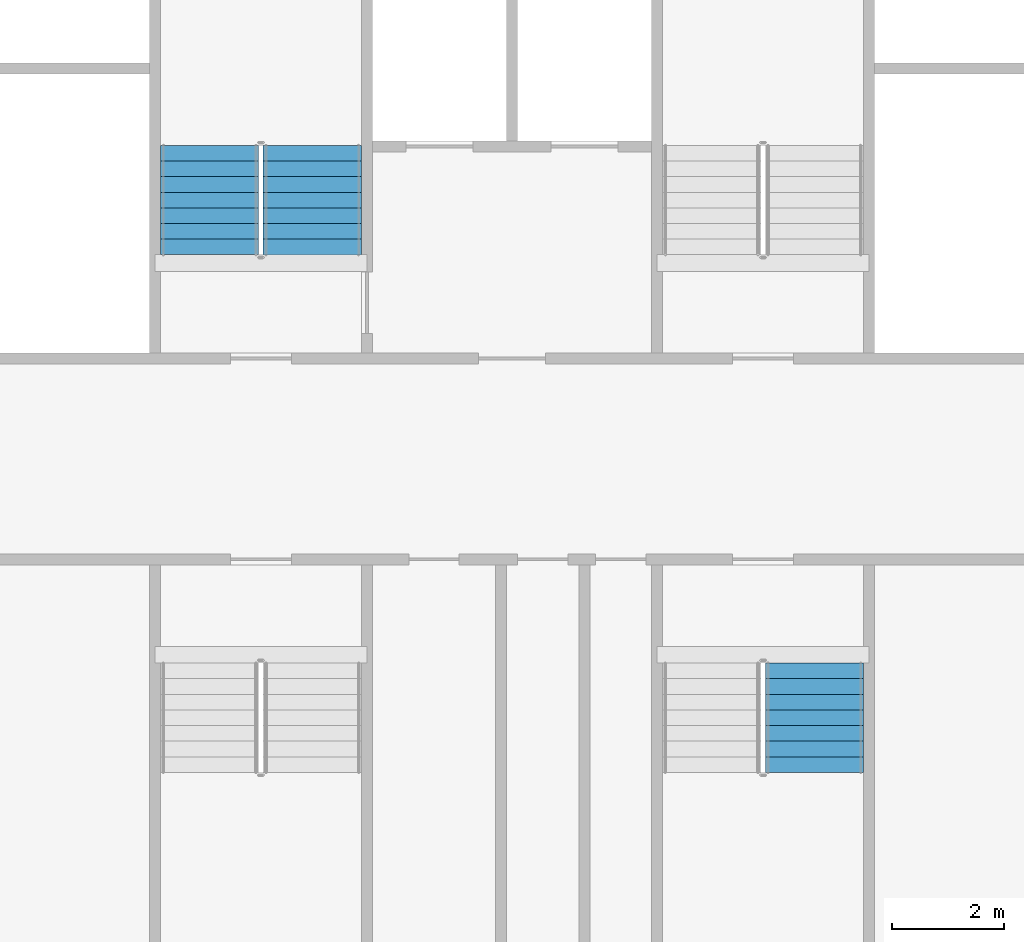
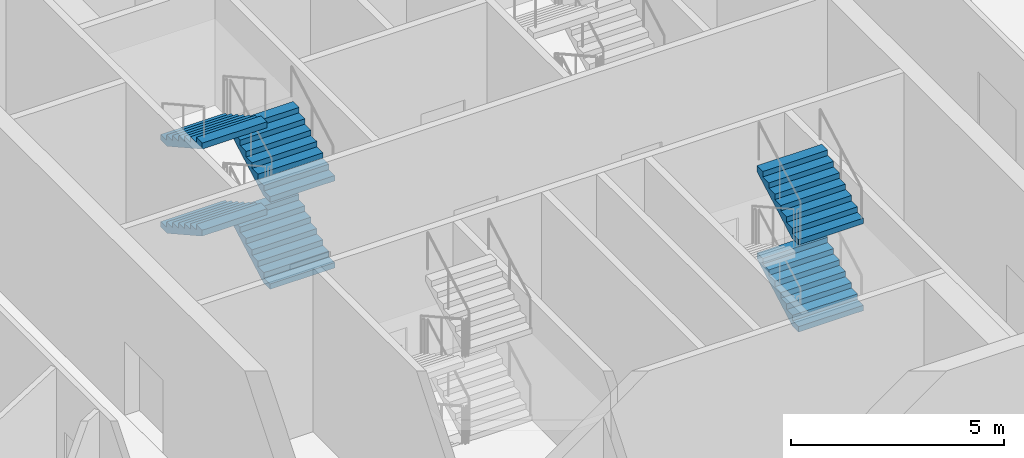
# One storey, part 7 of 21: 6 stair flights, 2 elements without a shape of their own.
"""IFC4 building model written with IfcOpenShell, lengths in metres."""

from ifc_helpers import new_model, si_unit, direction, frame, origin, place, context, subcontext, project, spatial, faceted_brep, material, type_object, element, aggregate, save


model = new_model("IFC4")

# Units and contexts
model_context = context("Model", 3, precision=1e-05, world=origin(), true_north=direction((0.0, 1.0)))
body_context = subcontext(model_context, "Body", "Model", "MODEL_VIEW")
ifc_project = project(units=[si_unit("LENGTHUNIT", "METRE"), si_unit("AREAUNIT", "SQUARE_METRE"), si_unit("VOLUMEUNIT", "CUBIC_METRE"), si_unit("PLANEANGLEUNIT", "RADIAN"), si_unit("MASSUNIT", "GRAM", prefix="KILO")], contexts=[model_context])

# Site, building, storey
site_placement = place(None, origin())
site = spatial("IfcSite", under=ifc_project, at=site_placement, CompositionType="ELEMENT")
building_placement = place(site_placement, origin())
building = spatial("IfcBuilding", under=site, at=building_placement, Name="Tarsis Ring Headquarters", CompositionType="ELEMENT")
storey_placement = place(building_placement, frame((0.0, 0.0, 398.60009765625)))
storey = spatial("IfcBuildingStorey", under=building, at=storey_placement, Name="L94", CompositionType="ELEMENT", Elevation=398.60009765625)

# Stair, stair flights
ifc_material_1 = material(Name="Core stair 1760")
stair_type = type_object("IfcStairType", Name="Core stair 1760", PredefinedType="HALF_TURN_STAIR", material=ifc_material_1)
stair_1_placement = place(storey_placement, origin())
stair_1 = element("IfcStair", 1, at=stair_1_placement, inside=storey, type_object=stair_type, Name="L94 Firefighting stair", PredefinedType="HALF_TURN_STAIR")
ifc_material_2 = material(Name="Concrete C40/50", Category="concrete")
stair_flight_type = type_object("IfcStairFlightType", Name="Core stair flight 1760", PredefinedType="STRAIGHT", material=ifc_material_2)
stair_flight_1_placement = place(storey_placement, frame((-3.580078125, 3.659912109375, 0.0), z_axis=(0.0, 0.0, 1.0), x_axis=(0.0, 1.0, 0.0)))
stair_flight_1 = element("IfcStairFlight", 2, at=stair_flight_1_placement, type_object=stair_flight_type, Name="Stair ST1 flight 1", NumberOfRisers=8, NumberOfTreads=7, PredefinedType="STRAIGHT", RiserHeight=0.15625, TreadLength=0.28, context=body_context, shape_type="Brep", body=[
    faceted_brep([(0.0, 0.8798828125, 0.0), (0.0, 0.8798828125, 0.15625), (0.280029296875, 0.8798828125, 0.15625), (0.280029296875, 0.8798828125, 0.3125), (0.56005859375, 0.8798828125, 0.3125), (0.56005859375, 0.8798828125, 0.46875), (0.840087890625, 0.8798828125, 0.46875), (0.840087890625, 0.8798828125, 0.625), (1.1201171875, 0.8798828125, 0.625), (1.1201171875, 0.8798828125, 0.78125), (1.39990234375, 0.8798828125, 0.78125), (1.39990234375, 0.8798828125, 0.9375), (1.679931640625, 0.8798828125, 0.9375), (1.679931640625, 0.8798828125, 1.09375), (1.9599609375, 0.8798828125, 1.09375), (1.9599609375, 0.8798828125, 0.922119140625), (0.3076171875, 0.8798828125, 0.0), (0.3076171875, -0.8798828125, 0.0), (1.9599609375, -0.8798828125, 0.922119140625), (1.9599609375, -0.8798828125, 1.09375), (1.679931640625, -0.8798828125, 1.09375), (1.679931640625, -0.8798828125, 0.9375), (1.39990234375, -0.8798828125, 0.9375), (1.39990234375, -0.8798828125, 0.78125), (1.1201171875, -0.8798828125, 0.78125), (1.1201171875, -0.8798828125, 0.625), (0.840087890625, -0.8798828125, 0.625), (0.840087890625, -0.8798828125, 0.46875), (0.56005859375, -0.8798828125, 0.46875), (0.56005859375, -0.8798828125, 0.3125), (0.280029296875, -0.8798828125, 0.3125), (0.280029296875, -0.8798828125, 0.15625), (0.0, -0.8798828125, 0.15625), (0.0, -0.8798828125, 0.0), (0.0, -0.43994140625, 0.15625), (0.0, -0.43994140625, 0.0), (0.0, 0.0, 0.15625), (0.0, 0.0, 0.0), (0.0, 0.43994140625, 0.15625), (0.0, 0.43994140625, 0.0), (0.280029296875, -0.43994140625, 0.15625), (0.280029296875, 0.0, 0.15625), (0.280029296875, 0.43994140625, 0.15625), (0.280029296875, -0.43994140625, 0.3125), (0.280029296875, 0.0, 0.3125), (0.280029296875, 0.43994140625, 0.3125), (0.56005859375, -0.43994140625, 0.3125), (0.56005859375, 0.0, 0.3125), (0.56005859375, 0.43994140625, 0.3125), (0.56005859375, -0.43994140625, 0.46875), (0.56005859375, 0.0, 0.46875), (0.56005859375, 0.43994140625, 0.46875), (0.840087890625, -0.43994140625, 0.46875), (0.840087890625, 0.0, 0.46875), (0.840087890625, 0.43994140625, 0.46875), (0.840087890625, -0.43994140625, 0.625), (0.840087890625, 0.0, 0.625), (0.840087890625, 0.43994140625, 0.625), (1.1201171875, -0.43994140625, 0.625), (1.1201171875, 0.0, 0.625), (1.1201171875, 0.43994140625, 0.625), (1.1201171875, -0.43994140625, 0.78125), (1.1201171875, 0.0, 0.78125), (1.1201171875, 0.43994140625, 0.78125), (1.39990234375, -0.43994140625, 0.78125), (1.39990234375, 0.0, 0.78125), (1.39990234375, 0.43994140625, 0.78125), (1.39990234375, -0.43994140625, 0.9375), (1.39990234375, 0.0, 0.9375), (1.39990234375, 0.43994140625, 0.9375), (1.679931640625, -0.43994140625, 0.9375), (1.679931640625, 0.0, 0.9375), (1.679931640625, 0.43994140625, 0.9375), (1.679931640625, -0.43994140625, 1.09375), (1.679931640625, 0.0, 1.09375), (1.679931640625, 0.43994140625, 1.09375), (1.9599609375, -0.43994140625, 1.09375), (1.9599609375, 0.0, 1.09375), (1.9599609375, 0.43994140625, 1.09375), (1.9599609375, -0.43994140625, 0.922119140625), (1.9599609375, 0.0, 0.922119140625), (1.9599609375, 0.43994140625, 0.922119140625), (0.3076171875, -0.43994140625, 0.0), (0.3076171875, 0.0, 0.0), (0.3076171875, 0.43994140625, 0.0)], [[[0, 1, 2, 3, 4, 5, 6, 7, 8, 9, 10, 11, 12, 13, 14, 15, 16]], [[17, 18, 19, 20, 21, 22, 23, 24, 25, 26, 27, 28, 29, 30, 31, 32, 33]], [[33, 32, 34, 35]], [[35, 34, 36, 37]], [[37, 36, 38, 39]], [[39, 38, 1, 0]], [[32, 31, 40, 34]], [[34, 40, 41, 36]], [[36, 41, 42, 38]], [[38, 42, 2, 1]], [[31, 30, 43, 40]], [[40, 43, 44, 41]], [[41, 44, 45, 42]], [[42, 45, 3, 2]], [[30, 29, 46, 43]], [[43, 46, 47, 44]], [[44, 47, 48, 45]], [[45, 48, 4, 3]], [[29, 28, 49, 46]], [[46, 49, 50, 47]], [[47, 50, 51, 48]], [[48, 51, 5, 4]], [[28, 27, 52, 49]], [[49, 52, 53, 50]], [[50, 53, 54, 51]], [[51, 54, 6, 5]], [[27, 26, 55, 52]], [[52, 55, 56, 53]], [[53, 56, 57, 54]], [[54, 57, 7, 6]], [[26, 25, 58, 55]], [[55, 58, 59, 56]], [[56, 59, 60, 57]], [[57, 60, 8, 7]], [[25, 24, 61, 58]], [[58, 61, 62, 59]], [[59, 62, 63, 60]], [[60, 63, 9, 8]], [[24, 23, 64, 61]], [[61, 64, 65, 62]], [[62, 65, 66, 63]], [[63, 66, 10, 9]], [[23, 22, 67, 64]], [[64, 67, 68, 65]], [[65, 68, 69, 66]], [[66, 69, 11, 10]], [[22, 21, 70, 67]], [[67, 70, 71, 68]], [[68, 71, 72, 69]], [[69, 72, 12, 11]], [[21, 20, 73, 70]], [[70, 73, 74, 71]], [[71, 74, 75, 72]], [[72, 75, 13, 12]], [[20, 19, 76, 73]], [[73, 76, 77, 74]], [[74, 77, 78, 75]], [[75, 78, 14, 13]], [[19, 18, 79, 76]], [[76, 79, 80, 77]], [[77, 80, 81, 78]], [[78, 81, 15, 14]], [[18, 17, 82, 79]], [[79, 82, 83, 80]], [[80, 83, 84, 81]], [[81, 84, 16, 15]], [[17, 33, 35, 82]], [[82, 35, 37, 83]], [[83, 37, 39, 84]], [[84, 39, 0, 16]]]),
])
stair_flight_2_placement = place(storey_placement, frame((-5.419921875, 5.6201171875, 1.25), z_axis=(0.0, 0.0, 1.0), x_axis=(0.0, -1.0, 0.0)))
stair_flight_2 = element("IfcStairFlight", 3, at=stair_flight_2_placement, type_object=stair_flight_type, Name="Stair ST1 flight 2", NumberOfRisers=8, NumberOfTreads=7, PredefinedType="STRAIGHT", RiserHeight=0.15625, TreadLength=0.28, context=body_context, shape_type="Brep", body=[
    faceted_brep([(0.0, 0.8798828125, 0.0), (0.0, 0.8798828125, 0.15625), (0.280029296875, 0.8798828125, 0.15625), (0.280029296875, 0.8798828125, 0.3125), (0.56005859375, 0.8798828125, 0.3125), (0.56005859375, 0.8798828125, 0.46875), (0.840087890625, 0.8798828125, 0.46875), (0.840087890625, 0.8798828125, 0.625), (1.1201171875, 0.8798828125, 0.625), (1.1201171875, 0.8798828125, 0.78125), (1.39990234375, 0.8798828125, 0.78125), (1.39990234375, 0.8798828125, 0.9375), (1.679931640625, 0.8798828125, 0.9375), (1.679931640625, 0.8798828125, 1.09375), (1.9599609375, 0.8798828125, 1.09375), (1.9599609375, 0.8798828125, 0.922119140625), (0.3076171875, 0.8798828125, 0.0), (0.3076171875, -0.8798828125, 0.0), (1.9599609375, -0.8798828125, 0.922119140625), (1.9599609375, -0.8798828125, 1.09375), (1.679931640625, -0.8798828125, 1.09375), (1.679931640625, -0.8798828125, 0.9375), (1.39990234375, -0.8798828125, 0.9375), (1.39990234375, -0.8798828125, 0.78125), (1.1201171875, -0.8798828125, 0.78125), (1.1201171875, -0.8798828125, 0.625), (0.840087890625, -0.8798828125, 0.625), (0.840087890625, -0.8798828125, 0.46875), (0.56005859375, -0.8798828125, 0.46875), (0.56005859375, -0.8798828125, 0.3125), (0.280029296875, -0.8798828125, 0.3125), (0.280029296875, -0.8798828125, 0.15625), (0.0, -0.8798828125, 0.15625), (0.0, -0.8798828125, 0.0), (0.0, -0.43994140625, 0.15625), (0.0, -0.43994140625, 0.0), (0.0, 0.0, 0.15625), (0.0, 0.0, 0.0), (0.0, 0.43994140625, 0.15625), (0.0, 0.43994140625, 0.0), (0.280029296875, -0.43994140625, 0.15625), (0.280029296875, 0.0, 0.15625), (0.280029296875, 0.43994140625, 0.15625), (0.280029296875, -0.43994140625, 0.3125), (0.280029296875, 0.0, 0.3125), (0.280029296875, 0.43994140625, 0.3125), (0.56005859375, -0.43994140625, 0.3125), (0.56005859375, 0.0, 0.3125), (0.56005859375, 0.43994140625, 0.3125), (0.56005859375, -0.43994140625, 0.46875), (0.56005859375, 0.0, 0.46875), (0.56005859375, 0.43994140625, 0.46875), (0.840087890625, -0.43994140625, 0.46875), (0.840087890625, 0.0, 0.46875), (0.840087890625, 0.43994140625, 0.46875), (0.840087890625, -0.43994140625, 0.625), (0.840087890625, 0.0, 0.625), (0.840087890625, 0.43994140625, 0.625), (1.1201171875, -0.43994140625, 0.625), (1.1201171875, 0.0, 0.625), (1.1201171875, 0.43994140625, 0.625), (1.1201171875, -0.43994140625, 0.78125), (1.1201171875, 0.0, 0.78125), (1.1201171875, 0.43994140625, 0.78125), (1.39990234375, -0.43994140625, 0.78125), (1.39990234375, 0.0, 0.78125), (1.39990234375, 0.43994140625, 0.78125), (1.39990234375, -0.43994140625, 0.9375), (1.39990234375, 0.0, 0.9375), (1.39990234375, 0.43994140625, 0.9375), (1.679931640625, -0.43994140625, 0.9375), (1.679931640625, 0.0, 0.9375), (1.679931640625, 0.43994140625, 0.9375), (1.679931640625, -0.43994140625, 1.09375), (1.679931640625, 0.0, 1.09375), (1.679931640625, 0.43994140625, 1.09375), (1.9599609375, -0.43994140625, 1.09375), (1.9599609375, 0.0, 1.09375), (1.9599609375, 0.43994140625, 1.09375), (1.9599609375, -0.43994140625, 0.922119140625), (1.9599609375, 0.0, 0.922119140625), (1.9599609375, 0.43994140625, 0.922119140625), (0.3076171875, -0.43994140625, 0.0), (0.3076171875, 0.0, 0.0), (0.3076171875, 0.43994140625, 0.0)], [[[0, 1, 2, 3, 4, 5, 6, 7, 8, 9, 10, 11, 12, 13, 14, 15, 16]], [[17, 18, 19, 20, 21, 22, 23, 24, 25, 26, 27, 28, 29, 30, 31, 32, 33]], [[33, 32, 34, 35]], [[35, 34, 36, 37]], [[37, 36, 38, 39]], [[39, 38, 1, 0]], [[32, 31, 40, 34]], [[34, 40, 41, 36]], [[36, 41, 42, 38]], [[38, 42, 2, 1]], [[31, 30, 43, 40]], [[40, 43, 44, 41]], [[41, 44, 45, 42]], [[42, 45, 3, 2]], [[30, 29, 46, 43]], [[43, 46, 47, 44]], [[44, 47, 48, 45]], [[45, 48, 4, 3]], [[29, 28, 49, 46]], [[46, 49, 50, 47]], [[47, 50, 51, 48]], [[48, 51, 5, 4]], [[28, 27, 52, 49]], [[49, 52, 53, 50]], [[50, 53, 54, 51]], [[51, 54, 6, 5]], [[27, 26, 55, 52]], [[52, 55, 56, 53]], [[53, 56, 57, 54]], [[54, 57, 7, 6]], [[26, 25, 58, 55]], [[55, 58, 59, 56]], [[56, 59, 60, 57]], [[57, 60, 8, 7]], [[25, 24, 61, 58]], [[58, 61, 62, 59]], [[59, 62, 63, 60]], [[60, 63, 9, 8]], [[24, 23, 64, 61]], [[61, 64, 65, 62]], [[62, 65, 66, 63]], [[63, 66, 10, 9]], [[23, 22, 67, 64]], [[64, 67, 68, 65]], [[65, 68, 69, 66]], [[66, 69, 11, 10]], [[22, 21, 70, 67]], [[67, 70, 71, 68]], [[68, 71, 72, 69]], [[69, 72, 12, 11]], [[21, 20, 73, 70]], [[70, 73, 74, 71]], [[71, 74, 75, 72]], [[72, 75, 13, 12]], [[20, 19, 76, 73]], [[73, 76, 77, 74]], [[74, 77, 78, 75]], [[75, 78, 14, 13]], [[19, 18, 79, 76]], [[76, 79, 80, 77]], [[77, 80, 81, 78]], [[78, 81, 15, 14]], [[18, 17, 82, 79]], [[79, 82, 83, 80]], [[80, 83, 84, 81]], [[81, 84, 16, 15]], [[17, 33, 35, 82]], [[82, 35, 37, 83]], [[83, 37, 39, 84]], [[84, 39, 0, 16]]]),
])
stair_flight_3_placement = place(storey_placement, frame((-3.580078125, 3.659912109375, 2.5), z_axis=(0.0, 0.0, 1.0), x_axis=(0.0, 1.0, 0.0)))
stair_flight_3 = element("IfcStairFlight", 4, at=stair_flight_3_placement, type_object=stair_flight_type, Name="Stair ST1 flight 3", NumberOfRisers=8, NumberOfTreads=7, PredefinedType="STRAIGHT", RiserHeight=0.15625, TreadLength=0.28, context=body_context, shape_type="Brep", body=[
    faceted_brep([(0.0, 0.8798828125, 0.0), (0.0, 0.8798828125, 0.15625), (0.280029296875, 0.8798828125, 0.15625), (0.280029296875, 0.8798828125, 0.3125), (0.56005859375, 0.8798828125, 0.3125), (0.56005859375, 0.8798828125, 0.46875), (0.840087890625, 0.8798828125, 0.46875), (0.840087890625, 0.8798828125, 0.625), (1.1201171875, 0.8798828125, 0.625), (1.1201171875, 0.8798828125, 0.78125), (1.39990234375, 0.8798828125, 0.78125), (1.39990234375, 0.8798828125, 0.9375), (1.679931640625, 0.8798828125, 0.9375), (1.679931640625, 0.8798828125, 1.09375), (1.9599609375, 0.8798828125, 1.09375), (1.9599609375, 0.8798828125, 0.922119140625), (0.3076171875, 0.8798828125, 0.0), (0.3076171875, -0.8798828125, 0.0), (1.9599609375, -0.8798828125, 0.922119140625), (1.9599609375, -0.8798828125, 1.09375), (1.679931640625, -0.8798828125, 1.09375), (1.679931640625, -0.8798828125, 0.9375), (1.39990234375, -0.8798828125, 0.9375), (1.39990234375, -0.8798828125, 0.78125), (1.1201171875, -0.8798828125, 0.78125), (1.1201171875, -0.8798828125, 0.625), (0.840087890625, -0.8798828125, 0.625), (0.840087890625, -0.8798828125, 0.46875), (0.56005859375, -0.8798828125, 0.46875), (0.56005859375, -0.8798828125, 0.3125), (0.280029296875, -0.8798828125, 0.3125), (0.280029296875, -0.8798828125, 0.15625), (0.0, -0.8798828125, 0.15625), (0.0, -0.8798828125, 0.0), (0.0, -0.43994140625, 0.15625), (0.0, -0.43994140625, 0.0), (0.0, 0.0, 0.15625), (0.0, 0.0, 0.0), (0.0, 0.43994140625, 0.15625), (0.0, 0.43994140625, 0.0), (0.280029296875, -0.43994140625, 0.15625), (0.280029296875, 0.0, 0.15625), (0.280029296875, 0.43994140625, 0.15625), (0.280029296875, -0.43994140625, 0.3125), (0.280029296875, 0.0, 0.3125), (0.280029296875, 0.43994140625, 0.3125), (0.56005859375, -0.43994140625, 0.3125), (0.56005859375, 0.0, 0.3125), (0.56005859375, 0.43994140625, 0.3125), (0.56005859375, -0.43994140625, 0.46875), (0.56005859375, 0.0, 0.46875), (0.56005859375, 0.43994140625, 0.46875), (0.840087890625, -0.43994140625, 0.46875), (0.840087890625, 0.0, 0.46875), (0.840087890625, 0.43994140625, 0.46875), (0.840087890625, -0.43994140625, 0.625), (0.840087890625, 0.0, 0.625), (0.840087890625, 0.43994140625, 0.625), (1.1201171875, -0.43994140625, 0.625), (1.1201171875, 0.0, 0.625), (1.1201171875, 0.43994140625, 0.625), (1.1201171875, -0.43994140625, 0.78125), (1.1201171875, 0.0, 0.78125), (1.1201171875, 0.43994140625, 0.78125), (1.39990234375, -0.43994140625, 0.78125), (1.39990234375, 0.0, 0.78125), (1.39990234375, 0.43994140625, 0.78125), (1.39990234375, -0.43994140625, 0.9375), (1.39990234375, 0.0, 0.9375), (1.39990234375, 0.43994140625, 0.9375), (1.679931640625, -0.43994140625, 0.9375), (1.679931640625, 0.0, 0.9375), (1.679931640625, 0.43994140625, 0.9375), (1.679931640625, -0.43994140625, 1.09375), (1.679931640625, 0.0, 1.09375), (1.679931640625, 0.43994140625, 1.09375), (1.9599609375, -0.43994140625, 1.09375), (1.9599609375, 0.0, 1.09375), (1.9599609375, 0.43994140625, 1.09375), (1.9599609375, -0.43994140625, 0.922119140625), (1.9599609375, 0.0, 0.922119140625), (1.9599609375, 0.43994140625, 0.922119140625), (0.3076171875, -0.43994140625, 0.0), (0.3076171875, 0.0, 0.0), (0.3076171875, 0.43994140625, 0.0)], [[[0, 1, 2, 3, 4, 5, 6, 7, 8, 9, 10, 11, 12, 13, 14, 15, 16]], [[17, 18, 19, 20, 21, 22, 23, 24, 25, 26, 27, 28, 29, 30, 31, 32, 33]], [[33, 32, 34, 35]], [[35, 34, 36, 37]], [[37, 36, 38, 39]], [[39, 38, 1, 0]], [[32, 31, 40, 34]], [[34, 40, 41, 36]], [[36, 41, 42, 38]], [[38, 42, 2, 1]], [[31, 30, 43, 40]], [[40, 43, 44, 41]], [[41, 44, 45, 42]], [[42, 45, 3, 2]], [[30, 29, 46, 43]], [[43, 46, 47, 44]], [[44, 47, 48, 45]], [[45, 48, 4, 3]], [[29, 28, 49, 46]], [[46, 49, 50, 47]], [[47, 50, 51, 48]], [[48, 51, 5, 4]], [[28, 27, 52, 49]], [[49, 52, 53, 50]], [[50, 53, 54, 51]], [[51, 54, 6, 5]], [[27, 26, 55, 52]], [[52, 55, 56, 53]], [[53, 56, 57, 54]], [[54, 57, 7, 6]], [[26, 25, 58, 55]], [[55, 58, 59, 56]], [[56, 59, 60, 57]], [[57, 60, 8, 7]], [[25, 24, 61, 58]], [[58, 61, 62, 59]], [[59, 62, 63, 60]], [[60, 63, 9, 8]], [[24, 23, 64, 61]], [[61, 64, 65, 62]], [[62, 65, 66, 63]], [[63, 66, 10, 9]], [[23, 22, 67, 64]], [[64, 67, 68, 65]], [[65, 68, 69, 66]], [[66, 69, 11, 10]], [[22, 21, 70, 67]], [[67, 70, 71, 68]], [[68, 71, 72, 69]], [[69, 72, 12, 11]], [[21, 20, 73, 70]], [[70, 73, 74, 71]], [[71, 74, 75, 72]], [[72, 75, 13, 12]], [[20, 19, 76, 73]], [[73, 76, 77, 74]], [[74, 77, 78, 75]], [[75, 78, 14, 13]], [[19, 18, 79, 76]], [[76, 79, 80, 77]], [[77, 80, 81, 78]], [[78, 81, 15, 14]], [[18, 17, 82, 79]], [[79, 82, 83, 80]], [[80, 83, 84, 81]], [[81, 84, 16, 15]], [[17, 33, 35, 82]], [[82, 35, 37, 83]], [[83, 37, 39, 84]], [[84, 39, 0, 16]]]),
])
stair_flight_4_placement = place(storey_placement, frame((-5.419921875, 5.6201171875, 3.75), z_axis=(0.0, 0.0, 1.0), x_axis=(0.0, -1.0, 0.0)))
stair_flight_4 = element("IfcStairFlight", 5, at=stair_flight_4_placement, type_object=stair_flight_type, Name="Stair ST1 flight 4", NumberOfRisers=8, NumberOfTreads=7, PredefinedType="STRAIGHT", RiserHeight=0.15625, TreadLength=0.28, context=body_context, shape_type="Brep", body=[
    faceted_brep([(0.0, 0.8798828125, 0.0), (0.0, 0.8798828125, 0.15625), (0.280029296875, 0.8798828125, 0.15625), (0.280029296875, 0.8798828125, 0.3125), (0.56005859375, 0.8798828125, 0.3125), (0.56005859375, 0.8798828125, 0.46875), (0.840087890625, 0.8798828125, 0.46875), (0.840087890625, 0.8798828125, 0.625), (1.1201171875, 0.8798828125, 0.625), (1.1201171875, 0.8798828125, 0.78125), (1.39990234375, 0.8798828125, 0.78125), (1.39990234375, 0.8798828125, 0.9375), (1.679931640625, 0.8798828125, 0.9375), (1.679931640625, 0.8798828125, 1.09375), (1.9599609375, 0.8798828125, 1.09375), (1.9599609375, 0.8798828125, 0.922119140625), (0.3076171875, 0.8798828125, 0.0), (0.3076171875, -0.8798828125, 0.0), (1.9599609375, -0.8798828125, 0.922119140625), (1.9599609375, -0.8798828125, 1.09375), (1.679931640625, -0.8798828125, 1.09375), (1.679931640625, -0.8798828125, 0.9375), (1.39990234375, -0.8798828125, 0.9375), (1.39990234375, -0.8798828125, 0.78125), (1.1201171875, -0.8798828125, 0.78125), (1.1201171875, -0.8798828125, 0.625), (0.840087890625, -0.8798828125, 0.625), (0.840087890625, -0.8798828125, 0.46875), (0.56005859375, -0.8798828125, 0.46875), (0.56005859375, -0.8798828125, 0.3125), (0.280029296875, -0.8798828125, 0.3125), (0.280029296875, -0.8798828125, 0.15625), (0.0, -0.8798828125, 0.15625), (0.0, -0.8798828125, 0.0), (0.0, -0.43994140625, 0.15625), (0.0, -0.43994140625, 0.0), (0.0, 0.0, 0.15625), (0.0, 0.0, 0.0), (0.0, 0.43994140625, 0.15625), (0.0, 0.43994140625, 0.0), (0.280029296875, -0.43994140625, 0.15625), (0.280029296875, 0.0, 0.15625), (0.280029296875, 0.43994140625, 0.15625), (0.280029296875, -0.43994140625, 0.3125), (0.280029296875, 0.0, 0.3125), (0.280029296875, 0.43994140625, 0.3125), (0.56005859375, -0.43994140625, 0.3125), (0.56005859375, 0.0, 0.3125), (0.56005859375, 0.43994140625, 0.3125), (0.56005859375, -0.43994140625, 0.46875), (0.56005859375, 0.0, 0.46875), (0.56005859375, 0.43994140625, 0.46875), (0.840087890625, -0.43994140625, 0.46875), (0.840087890625, 0.0, 0.46875), (0.840087890625, 0.43994140625, 0.46875), (0.840087890625, -0.43994140625, 0.625), (0.840087890625, 0.0, 0.625), (0.840087890625, 0.43994140625, 0.625), (1.1201171875, -0.43994140625, 0.625), (1.1201171875, 0.0, 0.625), (1.1201171875, 0.43994140625, 0.625), (1.1201171875, -0.43994140625, 0.78125), (1.1201171875, 0.0, 0.78125), (1.1201171875, 0.43994140625, 0.78125), (1.39990234375, -0.43994140625, 0.78125), (1.39990234375, 0.0, 0.78125), (1.39990234375, 0.43994140625, 0.78125), (1.39990234375, -0.43994140625, 0.9375), (1.39990234375, 0.0, 0.9375), (1.39990234375, 0.43994140625, 0.9375), (1.679931640625, -0.43994140625, 0.9375), (1.679931640625, 0.0, 0.9375), (1.679931640625, 0.43994140625, 0.9375), (1.679931640625, -0.43994140625, 1.09375), (1.679931640625, 0.0, 1.09375), (1.679931640625, 0.43994140625, 1.09375), (1.9599609375, -0.43994140625, 1.09375), (1.9599609375, 0.0, 1.09375), (1.9599609375, 0.43994140625, 1.09375), (1.9599609375, -0.43994140625, 0.922119140625), (1.9599609375, 0.0, 0.922119140625), (1.9599609375, 0.43994140625, 0.922119140625), (0.3076171875, -0.43994140625, 0.0), (0.3076171875, 0.0, 0.0), (0.3076171875, 0.43994140625, 0.0)], [[[0, 1, 2, 3, 4, 5, 6, 7, 8, 9, 10, 11, 12, 13, 14, 15, 16]], [[17, 18, 19, 20, 21, 22, 23, 24, 25, 26, 27, 28, 29, 30, 31, 32, 33]], [[33, 32, 34, 35]], [[35, 34, 36, 37]], [[37, 36, 38, 39]], [[39, 38, 1, 0]], [[32, 31, 40, 34]], [[34, 40, 41, 36]], [[36, 41, 42, 38]], [[38, 42, 2, 1]], [[31, 30, 43, 40]], [[40, 43, 44, 41]], [[41, 44, 45, 42]], [[42, 45, 3, 2]], [[30, 29, 46, 43]], [[43, 46, 47, 44]], [[44, 47, 48, 45]], [[45, 48, 4, 3]], [[29, 28, 49, 46]], [[46, 49, 50, 47]], [[47, 50, 51, 48]], [[48, 51, 5, 4]], [[28, 27, 52, 49]], [[49, 52, 53, 50]], [[50, 53, 54, 51]], [[51, 54, 6, 5]], [[27, 26, 55, 52]], [[52, 55, 56, 53]], [[53, 56, 57, 54]], [[54, 57, 7, 6]], [[26, 25, 58, 55]], [[55, 58, 59, 56]], [[56, 59, 60, 57]], [[57, 60, 8, 7]], [[25, 24, 61, 58]], [[58, 61, 62, 59]], [[59, 62, 63, 60]], [[60, 63, 9, 8]], [[24, 23, 64, 61]], [[61, 64, 65, 62]], [[62, 65, 66, 63]], [[63, 66, 10, 9]], [[23, 22, 67, 64]], [[64, 67, 68, 65]], [[65, 68, 69, 66]], [[66, 69, 11, 10]], [[22, 21, 70, 67]], [[67, 70, 71, 68]], [[68, 71, 72, 69]], [[69, 72, 12, 11]], [[21, 20, 73, 70]], [[70, 73, 74, 71]], [[71, 74, 75, 72]], [[72, 75, 13, 12]], [[20, 19, 76, 73]], [[73, 76, 77, 74]], [[74, 77, 78, 75]], [[75, 78, 14, 13]], [[19, 18, 79, 76]], [[76, 79, 80, 77]], [[77, 80, 81, 78]], [[78, 81, 15, 14]], [[18, 17, 82, 79]], [[79, 82, 83, 80]], [[80, 83, 84, 81]], [[81, 84, 16, 15]], [[17, 33, 35, 82]], [[82, 35, 37, 83]], [[83, 37, 39, 84]], [[84, 39, 0, 16]]]),
])
aggregate(stair_1, [stair_flight_1, stair_flight_2, stair_flight_3, stair_flight_4])

stair_2_placement = place(storey_placement, origin())
stair_2 = element("IfcStair", 6, at=stair_2_placement, inside=storey, type_object=stair_type, Name="L94 Exit stair D", PredefinedType="HALF_TURN_STAIR")
stair_flight_5_placement = place(storey_placement, frame((5.419921875, -5.6201171875, 1.25), z_axis=(0.0, 0.0, 1.0), x_axis=(0.0, 1.0, 0.0)))
stair_flight_5 = element("IfcStairFlight", 7, at=stair_flight_5_placement, type_object=stair_flight_type, Name="Stair ST4 flight 2", NumberOfRisers=8, NumberOfTreads=7, PredefinedType="STRAIGHT", RiserHeight=0.15625, TreadLength=0.28, context=body_context, shape_type="Brep", body=[
    faceted_brep([(0.0, 0.8798828125, 0.0), (0.0, 0.8798828125, 0.15625), (0.280029296875, 0.8798828125, 0.15625), (0.280029296875, 0.8798828125, 0.3125), (0.56005859375, 0.8798828125, 0.3125), (0.56005859375, 0.8798828125, 0.46875), (0.840087890625, 0.8798828125, 0.46875), (0.840087890625, 0.8798828125, 0.625), (1.1201171875, 0.8798828125, 0.625), (1.1201171875, 0.8798828125, 0.78125), (1.39990234375, 0.8798828125, 0.78125), (1.39990234375, 0.8798828125, 0.9375), (1.679931640625, 0.8798828125, 0.9375), (1.679931640625, 0.8798828125, 1.09375), (1.9599609375, 0.8798828125, 1.09375), (1.9599609375, 0.8798828125, 0.922119140625), (0.3076171875, 0.8798828125, 0.0), (0.3076171875, -0.8798828125, 0.0), (1.9599609375, -0.8798828125, 0.922119140625), (1.9599609375, -0.8798828125, 1.09375), (1.679931640625, -0.8798828125, 1.09375), (1.679931640625, -0.8798828125, 0.9375), (1.39990234375, -0.8798828125, 0.9375), (1.39990234375, -0.8798828125, 0.78125), (1.1201171875, -0.8798828125, 0.78125), (1.1201171875, -0.8798828125, 0.625), (0.840087890625, -0.8798828125, 0.625), (0.840087890625, -0.8798828125, 0.46875), (0.56005859375, -0.8798828125, 0.46875), (0.56005859375, -0.8798828125, 0.3125), (0.280029296875, -0.8798828125, 0.3125), (0.280029296875, -0.8798828125, 0.15625), (0.0, -0.8798828125, 0.15625), (0.0, -0.8798828125, 0.0), (0.0, -0.43994140625, 0.15625), (0.0, -0.43994140625, 0.0), (0.0, 0.0, 0.15625), (0.0, 0.0, 0.0), (0.0, 0.43994140625, 0.15625), (0.0, 0.43994140625, 0.0), (0.280029296875, -0.43994140625, 0.15625), (0.280029296875, 0.0, 0.15625), (0.280029296875, 0.43994140625, 0.15625), (0.280029296875, -0.43994140625, 0.3125), (0.280029296875, 0.0, 0.3125), (0.280029296875, 0.43994140625, 0.3125), (0.56005859375, -0.43994140625, 0.3125), (0.56005859375, 0.0, 0.3125), (0.56005859375, 0.43994140625, 0.3125), (0.56005859375, -0.43994140625, 0.46875), (0.56005859375, 0.0, 0.46875), (0.56005859375, 0.43994140625, 0.46875), (0.840087890625, -0.43994140625, 0.46875), (0.840087890625, 0.0, 0.46875), (0.840087890625, 0.43994140625, 0.46875), (0.840087890625, -0.43994140625, 0.625), (0.840087890625, 0.0, 0.625), (0.840087890625, 0.43994140625, 0.625), (1.1201171875, -0.43994140625, 0.625), (1.1201171875, 0.0, 0.625), (1.1201171875, 0.43994140625, 0.625), (1.1201171875, -0.43994140625, 0.78125), (1.1201171875, 0.0, 0.78125), (1.1201171875, 0.43994140625, 0.78125), (1.39990234375, -0.43994140625, 0.78125), (1.39990234375, 0.0, 0.78125), (1.39990234375, 0.43994140625, 0.78125), (1.39990234375, -0.43994140625, 0.9375), (1.39990234375, 0.0, 0.9375), (1.39990234375, 0.43994140625, 0.9375), (1.679931640625, -0.43994140625, 0.9375), (1.679931640625, 0.0, 0.9375), (1.679931640625, 0.43994140625, 0.9375), (1.679931640625, -0.43994140625, 1.09375), (1.679931640625, 0.0, 1.09375), (1.679931640625, 0.43994140625, 1.09375), (1.9599609375, -0.43994140625, 1.09375), (1.9599609375, 0.0, 1.09375), (1.9599609375, 0.43994140625, 1.09375), (1.9599609375, -0.43994140625, 0.922119140625), (1.9599609375, 0.0, 0.922119140625), (1.9599609375, 0.43994140625, 0.922119140625), (0.3076171875, -0.43994140625, 0.0), (0.3076171875, 0.0, 0.0), (0.3076171875, 0.43994140625, 0.0)], [[[0, 1, 2, 3, 4, 5, 6, 7, 8, 9, 10, 11, 12, 13, 14, 15, 16]], [[17, 18, 19, 20, 21, 22, 23, 24, 25, 26, 27, 28, 29, 30, 31, 32, 33]], [[33, 32, 34, 35]], [[35, 34, 36, 37]], [[37, 36, 38, 39]], [[39, 38, 1, 0]], [[32, 31, 40, 34]], [[34, 40, 41, 36]], [[36, 41, 42, 38]], [[38, 42, 2, 1]], [[31, 30, 43, 40]], [[40, 43, 44, 41]], [[41, 44, 45, 42]], [[42, 45, 3, 2]], [[30, 29, 46, 43]], [[43, 46, 47, 44]], [[44, 47, 48, 45]], [[45, 48, 4, 3]], [[29, 28, 49, 46]], [[46, 49, 50, 47]], [[47, 50, 51, 48]], [[48, 51, 5, 4]], [[28, 27, 52, 49]], [[49, 52, 53, 50]], [[50, 53, 54, 51]], [[51, 54, 6, 5]], [[27, 26, 55, 52]], [[52, 55, 56, 53]], [[53, 56, 57, 54]], [[54, 57, 7, 6]], [[26, 25, 58, 55]], [[55, 58, 59, 56]], [[56, 59, 60, 57]], [[57, 60, 8, 7]], [[25, 24, 61, 58]], [[58, 61, 62, 59]], [[59, 62, 63, 60]], [[60, 63, 9, 8]], [[24, 23, 64, 61]], [[61, 64, 65, 62]], [[62, 65, 66, 63]], [[63, 66, 10, 9]], [[23, 22, 67, 64]], [[64, 67, 68, 65]], [[65, 68, 69, 66]], [[66, 69, 11, 10]], [[22, 21, 70, 67]], [[67, 70, 71, 68]], [[68, 71, 72, 69]], [[69, 72, 12, 11]], [[21, 20, 73, 70]], [[70, 73, 74, 71]], [[71, 74, 75, 72]], [[72, 75, 13, 12]], [[20, 19, 76, 73]], [[73, 76, 77, 74]], [[74, 77, 78, 75]], [[75, 78, 14, 13]], [[19, 18, 79, 76]], [[76, 79, 80, 77]], [[77, 80, 81, 78]], [[78, 81, 15, 14]], [[18, 17, 82, 79]], [[79, 82, 83, 80]], [[80, 83, 84, 81]], [[81, 84, 16, 15]], [[17, 33, 35, 82]], [[82, 35, 37, 83]], [[83, 37, 39, 84]], [[84, 39, 0, 16]]]),
])
stair_flight_6_placement = place(storey_placement, frame((5.419921875, -5.6201171875, 3.75), z_axis=(0.0, 0.0, 1.0), x_axis=(0.0, 1.0, 0.0)))
stair_flight_6 = element("IfcStairFlight", 8, at=stair_flight_6_placement, type_object=stair_flight_type, Name="Stair ST4 flight 4", NumberOfRisers=8, NumberOfTreads=7, PredefinedType="STRAIGHT", RiserHeight=0.15625, TreadLength=0.28, context=body_context, shape_type="Brep", body=[
    faceted_brep([(0.0, 0.8798828125, 0.0), (0.0, 0.8798828125, 0.15625), (0.280029296875, 0.8798828125, 0.15625), (0.280029296875, 0.8798828125, 0.3125), (0.56005859375, 0.8798828125, 0.3125), (0.56005859375, 0.8798828125, 0.46875), (0.840087890625, 0.8798828125, 0.46875), (0.840087890625, 0.8798828125, 0.625), (1.1201171875, 0.8798828125, 0.625), (1.1201171875, 0.8798828125, 0.78125), (1.39990234375, 0.8798828125, 0.78125), (1.39990234375, 0.8798828125, 0.9375), (1.679931640625, 0.8798828125, 0.9375), (1.679931640625, 0.8798828125, 1.09375), (1.9599609375, 0.8798828125, 1.09375), (1.9599609375, 0.8798828125, 0.922119140625), (0.3076171875, 0.8798828125, 0.0), (0.3076171875, -0.8798828125, 0.0), (1.9599609375, -0.8798828125, 0.922119140625), (1.9599609375, -0.8798828125, 1.09375), (1.679931640625, -0.8798828125, 1.09375), (1.679931640625, -0.8798828125, 0.9375), (1.39990234375, -0.8798828125, 0.9375), (1.39990234375, -0.8798828125, 0.78125), (1.1201171875, -0.8798828125, 0.78125), (1.1201171875, -0.8798828125, 0.625), (0.840087890625, -0.8798828125, 0.625), (0.840087890625, -0.8798828125, 0.46875), (0.56005859375, -0.8798828125, 0.46875), (0.56005859375, -0.8798828125, 0.3125), (0.280029296875, -0.8798828125, 0.3125), (0.280029296875, -0.8798828125, 0.15625), (0.0, -0.8798828125, 0.15625), (0.0, -0.8798828125, 0.0), (0.0, -0.43994140625, 0.15625), (0.0, -0.43994140625, 0.0), (0.0, 0.0, 0.15625), (0.0, 0.0, 0.0), (0.0, 0.43994140625, 0.15625), (0.0, 0.43994140625, 0.0), (0.280029296875, -0.43994140625, 0.15625), (0.280029296875, 0.0, 0.15625), (0.280029296875, 0.43994140625, 0.15625), (0.280029296875, -0.43994140625, 0.3125), (0.280029296875, 0.0, 0.3125), (0.280029296875, 0.43994140625, 0.3125), (0.56005859375, -0.43994140625, 0.3125), (0.56005859375, 0.0, 0.3125), (0.56005859375, 0.43994140625, 0.3125), (0.56005859375, -0.43994140625, 0.46875), (0.56005859375, 0.0, 0.46875), (0.56005859375, 0.43994140625, 0.46875), (0.840087890625, -0.43994140625, 0.46875), (0.840087890625, 0.0, 0.46875), (0.840087890625, 0.43994140625, 0.46875), (0.840087890625, -0.43994140625, 0.625), (0.840087890625, 0.0, 0.625), (0.840087890625, 0.43994140625, 0.625), (1.1201171875, -0.43994140625, 0.625), (1.1201171875, 0.0, 0.625), (1.1201171875, 0.43994140625, 0.625), (1.1201171875, -0.43994140625, 0.78125), (1.1201171875, 0.0, 0.78125), (1.1201171875, 0.43994140625, 0.78125), (1.39990234375, -0.43994140625, 0.78125), (1.39990234375, 0.0, 0.78125), (1.39990234375, 0.43994140625, 0.78125), (1.39990234375, -0.43994140625, 0.9375), (1.39990234375, 0.0, 0.9375), (1.39990234375, 0.43994140625, 0.9375), (1.679931640625, -0.43994140625, 0.9375), (1.679931640625, 0.0, 0.9375), (1.679931640625, 0.43994140625, 0.9375), (1.679931640625, -0.43994140625, 1.09375), (1.679931640625, 0.0, 1.09375), (1.679931640625, 0.43994140625, 1.09375), (1.9599609375, -0.43994140625, 1.09375), (1.9599609375, 0.0, 1.09375), (1.9599609375, 0.43994140625, 1.09375), (1.9599609375, -0.43994140625, 0.922119140625), (1.9599609375, 0.0, 0.922119140625), (1.9599609375, 0.43994140625, 0.922119140625), (0.3076171875, -0.43994140625, 0.0), (0.3076171875, 0.0, 0.0), (0.3076171875, 0.43994140625, 0.0)], [[[0, 1, 2, 3, 4, 5, 6, 7, 8, 9, 10, 11, 12, 13, 14, 15, 16]], [[17, 18, 19, 20, 21, 22, 23, 24, 25, 26, 27, 28, 29, 30, 31, 32, 33]], [[33, 32, 34, 35]], [[35, 34, 36, 37]], [[37, 36, 38, 39]], [[39, 38, 1, 0]], [[32, 31, 40, 34]], [[34, 40, 41, 36]], [[36, 41, 42, 38]], [[38, 42, 2, 1]], [[31, 30, 43, 40]], [[40, 43, 44, 41]], [[41, 44, 45, 42]], [[42, 45, 3, 2]], [[30, 29, 46, 43]], [[43, 46, 47, 44]], [[44, 47, 48, 45]], [[45, 48, 4, 3]], [[29, 28, 49, 46]], [[46, 49, 50, 47]], [[47, 50, 51, 48]], [[48, 51, 5, 4]], [[28, 27, 52, 49]], [[49, 52, 53, 50]], [[50, 53, 54, 51]], [[51, 54, 6, 5]], [[27, 26, 55, 52]], [[52, 55, 56, 53]], [[53, 56, 57, 54]], [[54, 57, 7, 6]], [[26, 25, 58, 55]], [[55, 58, 59, 56]], [[56, 59, 60, 57]], [[57, 60, 8, 7]], [[25, 24, 61, 58]], [[58, 61, 62, 59]], [[59, 62, 63, 60]], [[60, 63, 9, 8]], [[24, 23, 64, 61]], [[61, 64, 65, 62]], [[62, 65, 66, 63]], [[63, 66, 10, 9]], [[23, 22, 67, 64]], [[64, 67, 68, 65]], [[65, 68, 69, 66]], [[66, 69, 11, 10]], [[22, 21, 70, 67]], [[67, 70, 71, 68]], [[68, 71, 72, 69]], [[69, 72, 12, 11]], [[21, 20, 73, 70]], [[70, 73, 74, 71]], [[71, 74, 75, 72]], [[72, 75, 13, 12]], [[20, 19, 76, 73]], [[73, 76, 77, 74]], [[74, 77, 78, 75]], [[75, 78, 14, 13]], [[19, 18, 79, 76]], [[76, 79, 80, 77]], [[77, 80, 81, 78]], [[78, 81, 15, 14]], [[18, 17, 82, 79]], [[79, 82, 83, 80]], [[80, 83, 84, 81]], [[81, 84, 16, 15]], [[17, 33, 35, 82]], [[82, 35, 37, 83]], [[83, 37, 39, 84]], [[84, 39, 0, 16]]]),
])
aggregate(stair_2, [stair_flight_5, stair_flight_6])

save(model, "model.ifc")
